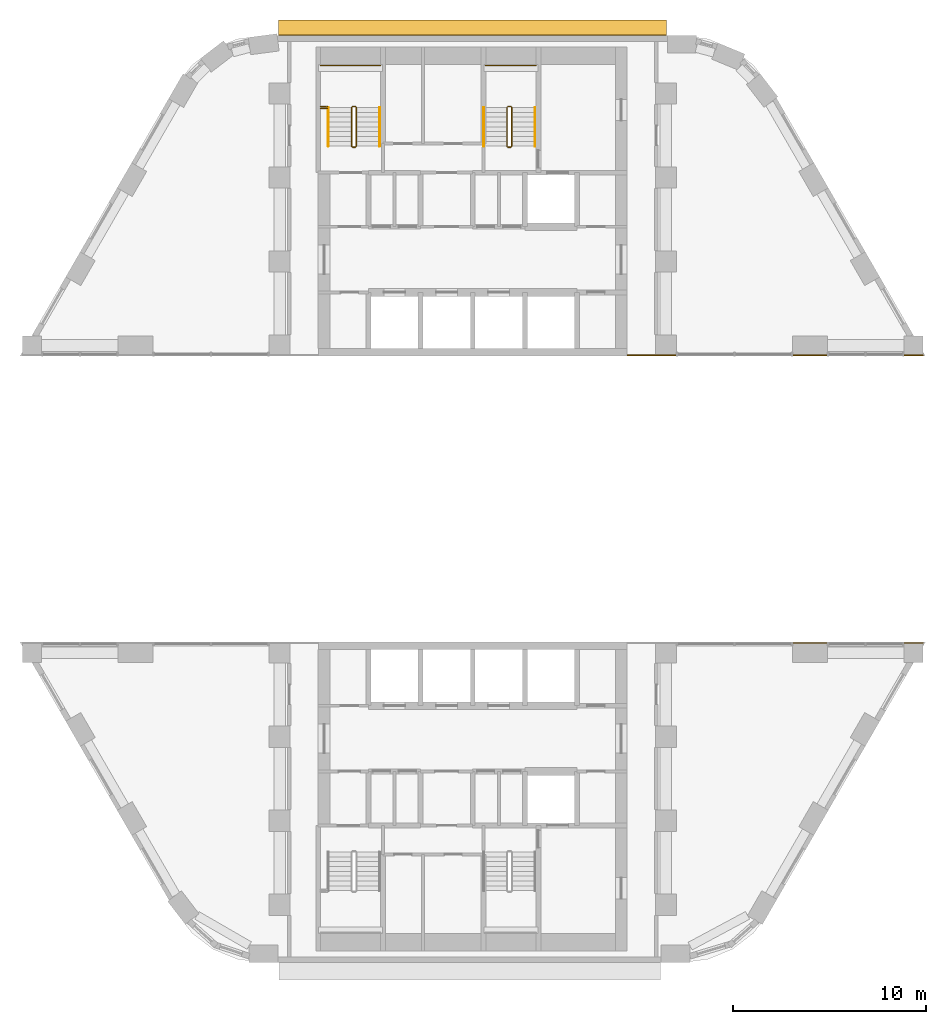
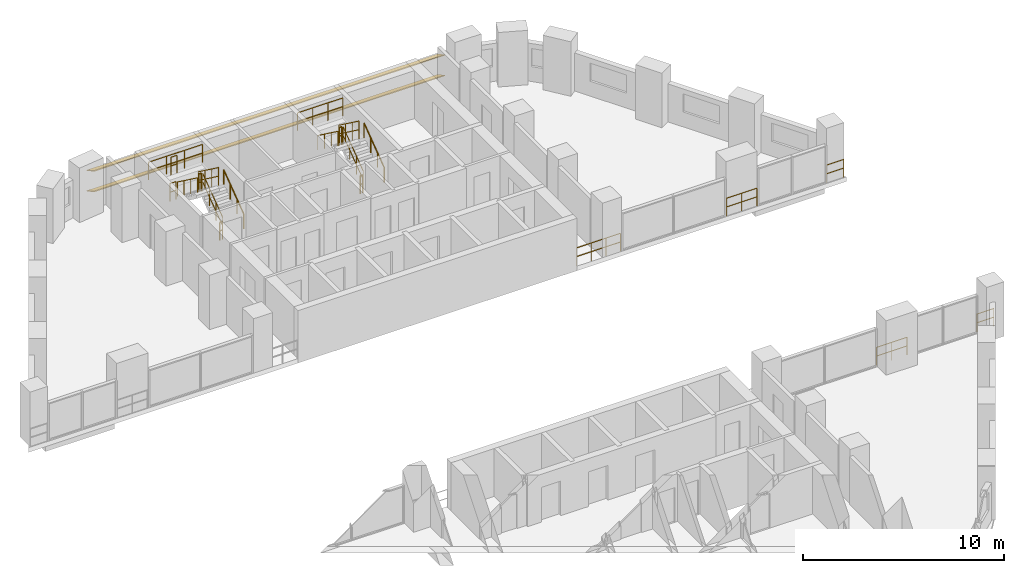
# One storey, part 11 of 11: 21 railings, 2 shading devices.
"""IFC4 building model written with IfcOpenShell, lengths in metres."""

from ifc_helpers import new_model, si_unit, direction, frame, origin, origin_2d, place, context, subcontext, project, spatial, rectangle, circle, extrude, material, material_profile, profile_set, type_object, element, save


model = new_model("IFC4")

# Units and contexts
model_context = context("Model", 3, precision=1e-05, world=origin(), true_north=direction((0.0, 1.0)))
body_context = subcontext(model_context, "Body", "Model", "MODEL_VIEW")
ifc_project = project(units=[si_unit("LENGTHUNIT", "METRE"), si_unit("AREAUNIT", "SQUARE_METRE"), si_unit("VOLUMEUNIT", "CUBIC_METRE"), si_unit("PLANEANGLEUNIT", "RADIAN"), si_unit("MASSUNIT", "GRAM", prefix="KILO")], contexts=[model_context])

# Site, building, storey
site_placement = place(None, origin())
site = spatial("IfcSite", under=ifc_project, at=site_placement, CompositionType="ELEMENT")
building_placement = place(site_placement, origin())
building = spatial("IfcBuilding", under=site, at=building_placement, Name="Nakaniwa Court", CompositionType="ELEMENT")
storey_placement = place(building_placement, frame((0.0, 0.0, 34.800048828125)))
storey = spatial("IfcBuildingStorey", under=building, at=storey_placement, Name="L08", CompositionType="ELEMENT", Elevation=34.800048828125)

# Shading devices
ifc_material_1 = material(Name="Perforated charcoal ceramic louvre blade")
ifc_material_profile = material_profile(ifc_material_1, rectangle(XDim=0.89990234375, YDim=0.050048828125, at=origin_2d()), Name="Perforated ceramic louvre blade")
ifc_profile_set = profile_set([ifc_material_profile], Name="Perforated charcoal ceramic louvre blade")
shading_device_type = type_object("IfcShadingDeviceType", Name="Perforated ceramic louvre blade", PredefinedType="JALOUSIE", material=ifc_profile_set)
for number, where, z_axis, x_axis, name in (
    (1, (90.02880859375, 104.402099609375, 0.550048828125), (-1.0, 0.0, 0.0), (0.0, -0.866025403784, 0.5), "L08 perforated ceramic louvre blade w26 1"),
    (2, (90.02880859375, 104.402099609375, 1.793212890625), (-1.0, 0.0, 0.0), (0.0, -0.866025403784, 0.5), "L08 perforated ceramic louvre blade w26 2"),
):
    element("IfcShadingDevice", number, at=place(storey_placement, frame(where, z_axis=z_axis, x_axis=x_axis)), inside=storey, type_object=shading_device_type, Name=name, PredefinedType="JALOUSIE", context=body_context, shape_type="SweptSolid", body=[
        extrude(rectangle(XDim=0.89990234375, YDim=0.050048828125, at=origin_2d()), origin(), (0.0, 0.0, 1.0), 20.090576171875),
    ])

# Railings
ifc_material_2 = material(Name="Black powder coated steel guard", Category="steel")
railing_type_1 = type_object("IfcRailingType", Name="Stair guard 1100", PredefinedType="GUARDRAIL", material=ifc_material_2)
railing_1_placement = place(storey_placement, frame((73.97509765625, 98.27490234375, 0.183349609375)))
element("IfcRailing", 3, at=railing_1_placement, inside=storey, type_object=railing_type_1, Name="L08 ST1 stair guard 1", PredefinedType="GUARDRAIL", context=body_context, shape_type="SweptSolid", body=[
    extrude(circle(Radius=0.02392578125, at=origin_2d()), frame((0.0, 0.0, 1.076171875), z_axis=(0.0, 0.806426902644, 0.591333789573), x_axis=(-1.0, 0.0, 0.0)), (0.0, 0.0, 1.0), 2.47998046875),
    extrude(circle(Radius=0.02392578125, at=origin_2d()), frame((0.0, 0.0, 0.550048828125), z_axis=(0.0, 0.806426902644, 0.591333789573), x_axis=(-1.0, 0.0, 0.0)), (0.0, 0.0, 1.0), 2.47998046875),
    extrude(circle(Radius=0.02099609375, at=origin_2d()), origin(), (0.0, 0.0, 1.0), 1.052001953125),
    extrude(circle(Radius=0.02099609375, at=origin_2d()), frame((0.0, 0.666748046875, 0.48876953125)), (0.0, 0.0, 1.0), 1.052001953125),
    extrude(circle(Radius=0.02099609375, at=origin_2d()), frame((0.0, 1.333251953125, 0.977783203125)), (0.0, 0.0, 1.0), 1.052001953125),
    extrude(circle(Radius=0.02099609375, at=origin_2d()), frame((0.0, 2.0, 1.466552734375)), (0.0, 0.0, 1.0), 1.052001953125),
])
railing_2_placement = place(storey_placement, frame((73.925048828125, 100.324951171875, 1.64990234375)))
element("IfcRailing", 4, at=railing_2_placement, inside=storey, type_object=railing_type_1, Name="L08 ST1 stair guard 2", PredefinedType="GUARDRAIL", context=body_context, shape_type="SweptSolid", body=[
    extrude(circle(Radius=0.02392578125, at=origin_2d()), frame((0.0, 0.0, 1.076171875), z_axis=(-1.0, 0.0, 0.0), x_axis=(0.0, -1.0, 0.0)), (0.0, 0.0, 1.0), 0.150146484375),
    extrude(circle(Radius=0.02392578125, at=origin_2d()), frame((0.0, 0.0, 0.550048828125), z_axis=(-1.0, 0.0, 0.0), x_axis=(0.0, -1.0, 0.0)), (0.0, 0.0, 1.0), 0.150146484375),
    extrude(circle(Radius=0.02099609375, at=origin_2d()), origin(), (0.0, 0.0, 1.0), 1.052001953125),
    extrude(circle(Radius=0.02099609375, at=origin_2d()), frame((-0.150146484375, 0.0, 0.0)), (0.0, 0.0, 1.0), 1.052001953125),
])
railing_3_placement = place(storey_placement, frame((73.72509765625, 100.27490234375, 1.833251953125)))
element("IfcRailing", 5, at=railing_3_placement, inside=storey, type_object=railing_type_1, Name="L08 ST1 stair guard 3", PredefinedType="GUARDRAIL", context=body_context, shape_type="SweptSolid", body=[
    extrude(circle(Radius=0.02392578125, at=origin_2d()), frame((0.0, 0.0, 1.076171875), z_axis=(0.0, -0.806379959628, 0.591397802423), x_axis=(1.0, 0.0, 0.0)), (0.0, 0.0, 1.0), 2.480224609375),
    extrude(circle(Radius=0.02392578125, at=origin_2d()), frame((0.0, 0.0, 0.550048828125), z_axis=(0.0, -0.806379959628, 0.591397802423), x_axis=(1.0, 0.0, 0.0)), (0.0, 0.0, 1.0), 2.480224609375),
    extrude(circle(Radius=0.02099609375, at=origin_2d()), origin(), (0.0, 0.0, 1.0), 1.052001953125),
    extrude(circle(Radius=0.02099609375, at=origin_2d()), frame((0.0, -0.666748046875, 0.489013671875)), (0.0, 0.0, 1.0), 1.052001953125),
    extrude(circle(Radius=0.02099609375, at=origin_2d()), frame((0.0, -1.333251953125, 0.977783203125)), (0.0, 0.0, 1.0), 1.052001953125),
    extrude(circle(Radius=0.02099609375, at=origin_2d()), frame((0.0, -2.0, 1.466796875)), (0.0, 0.0, 1.0), 1.052001953125),
])
railing_4_placement = place(storey_placement, frame((73.925048828125, 98.22509765625, 0.0)))
element("IfcRailing", 6, at=railing_4_placement, inside=storey, type_object=railing_type_1, Name="L08 ST1 stair guard 4", PredefinedType="GUARDRAIL", context=body_context, shape_type="SweptSolid", body=[
    extrude(circle(Radius=0.02392578125, at=origin_2d()), frame((0.0, 0.0, 1.076171875), z_axis=(-1.0, 0.0, 0.0), x_axis=(0.0, -1.0, 0.0)), (0.0, 0.0, 1.0), 0.150146484375),
    extrude(circle(Radius=0.02392578125, at=origin_2d()), frame((0.0, 0.0, 0.550048828125), z_axis=(-1.0, 0.0, 0.0), x_axis=(0.0, -1.0, 0.0)), (0.0, 0.0, 1.0), 0.150146484375),
    extrude(circle(Radius=0.02099609375, at=origin_2d()), origin(), (0.0, 0.0, 1.0), 1.052001953125),
    extrude(circle(Radius=0.02099609375, at=origin_2d()), frame((-0.150146484375, 0.0, 0.0)), (0.0, 0.0, 1.0), 1.052001953125),
])
railing_5_placement = place(storey_placement, frame((72.125, 102.449951171875, 1.64990234375)))
element("IfcRailing", 7, at=railing_5_placement, inside=storey, type_object=railing_type_1, Name="L08 ST1 landing end guard 1", PredefinedType="GUARDRAIL", context=body_context, shape_type="SweptSolid", body=[
    extrude(circle(Radius=0.02392578125, at=origin_2d()), frame((0.0, 0.0, 1.076171875), z_axis=(1.0, 0.0, 0.0), x_axis=(0.0, 1.0, 0.0)), (0.0, 0.0, 1.0), 3.10009765625),
    extrude(circle(Radius=0.02392578125, at=origin_2d()), frame((0.0, 0.0, 0.550048828125), z_axis=(1.0, 0.0, 0.0), x_axis=(0.0, 1.0, 0.0)), (0.0, 0.0, 1.0), 3.10009765625),
    extrude(circle(Radius=0.02099609375, at=origin_2d()), origin(), (0.0, 0.0, 1.0), 1.052001953125),
    extrude(circle(Radius=0.02099609375, at=origin_2d()), frame((1.033447265625, 0.0, 0.0)), (0.0, 0.0, 1.0), 1.052001953125),
    extrude(circle(Radius=0.02099609375, at=origin_2d()), frame((2.066650390625, 0.0, 0.0)), (0.0, 0.0, 1.0), 1.052001953125),
    extrude(circle(Radius=0.02099609375, at=origin_2d()), frame((3.10009765625, 0.0, 0.0)), (0.0, 0.0, 1.0), 1.052001953125),
])
for number, where, name in (
    (8, (72.125, 100.324951171875, 1.64990234375), "L08 ST1 landing side guard 1W"),
    (9, (72.125, 100.22509765625, 3.300048828125), "L08 ST1 floor edge guard 1W"),
):
    element("IfcRailing", number, at=place(storey_placement, frame(where)), inside=storey, type_object=railing_type_1, Name=name, PredefinedType="GUARDRAIL", context=body_context, shape_type="SweptSolid", body=[
        extrude(circle(Radius=0.02392578125, at=origin_2d()), frame((0.0, 0.0, 1.076171875), z_axis=(1.0, 0.0, 0.0), x_axis=(0.0, 1.0, 0.0)), (0.0, 0.0, 1.0), 0.35009765625),
        extrude(circle(Radius=0.02392578125, at=origin_2d()), frame((0.0, 0.0, 0.550048828125), z_axis=(1.0, 0.0, 0.0), x_axis=(0.0, 1.0, 0.0)), (0.0, 0.0, 1.0), 0.35009765625),
        extrude(circle(Radius=0.02099609375, at=origin_2d()), origin(), (0.0, 0.0, 1.0), 1.052001953125),
        extrude(circle(Radius=0.02099609375, at=origin_2d()), frame((0.35009765625, 0.0, 0.0)), (0.0, 0.0, 1.0), 1.052001953125),
    ])
railing_6_placement = place(storey_placement, frame((82.02490234375, 98.27490234375, 0.183349609375)))
element("IfcRailing", 10, at=railing_6_placement, inside=storey, type_object=railing_type_1, Name="L08 ST2 stair guard 1", PredefinedType="GUARDRAIL", context=body_context, shape_type="SweptSolid", body=[
    extrude(circle(Radius=0.02392578125, at=origin_2d()), frame((0.0, 0.0, 1.076171875), z_axis=(0.0, 0.806426902644, 0.591333789573), x_axis=(-1.0, 0.0, 0.0)), (0.0, 0.0, 1.0), 2.47998046875),
    extrude(circle(Radius=0.02392578125, at=origin_2d()), frame((0.0, 0.0, 0.550048828125), z_axis=(0.0, 0.806426902644, 0.591333789573), x_axis=(-1.0, 0.0, 0.0)), (0.0, 0.0, 1.0), 2.47998046875),
    extrude(circle(Radius=0.02099609375, at=origin_2d()), origin(), (0.0, 0.0, 1.0), 1.052001953125),
    extrude(circle(Radius=0.02099609375, at=origin_2d()), frame((0.0, 0.666748046875, 0.48876953125)), (0.0, 0.0, 1.0), 1.052001953125),
    extrude(circle(Radius=0.02099609375, at=origin_2d()), frame((0.0, 1.333251953125, 0.977783203125)), (0.0, 0.0, 1.0), 1.052001953125),
    extrude(circle(Radius=0.02099609375, at=origin_2d()), frame((0.0, 2.0, 1.466552734375)), (0.0, 0.0, 1.0), 1.052001953125),
])
railing_7_placement = place(storey_placement, frame((81.97509765625, 100.324951171875, 1.64990234375)))
element("IfcRailing", 11, at=railing_7_placement, inside=storey, type_object=railing_type_1, Name="L08 ST2 stair guard 2", PredefinedType="GUARDRAIL", context=body_context, shape_type="SweptSolid", body=[
    extrude(circle(Radius=0.02392578125, at=origin_2d()), frame((0.0, 0.0, 1.076171875), z_axis=(-1.0, 0.0, 0.0), x_axis=(0.0, -1.0, 0.0)), (0.0, 0.0, 1.0), 0.150146484375),
    extrude(circle(Radius=0.02392578125, at=origin_2d()), frame((0.0, 0.0, 0.550048828125), z_axis=(-1.0, 0.0, 0.0), x_axis=(0.0, -1.0, 0.0)), (0.0, 0.0, 1.0), 0.150146484375),
    extrude(circle(Radius=0.02099609375, at=origin_2d()), origin(), (0.0, 0.0, 1.0), 1.052001953125),
    extrude(circle(Radius=0.02099609375, at=origin_2d()), frame((-0.150146484375, 0.0, 0.0)), (0.0, 0.0, 1.0), 1.052001953125),
])
railing_8_placement = place(storey_placement, frame((81.77490234375, 100.27490234375, 1.833251953125)))
element("IfcRailing", 12, at=railing_8_placement, inside=storey, type_object=railing_type_1, Name="L08 ST2 stair guard 3", PredefinedType="GUARDRAIL", context=body_context, shape_type="SweptSolid", body=[
    extrude(circle(Radius=0.02392578125, at=origin_2d()), frame((0.0, 0.0, 1.076171875), z_axis=(0.0, -0.806379959628, 0.591397802423), x_axis=(1.0, 0.0, 0.0)), (0.0, 0.0, 1.0), 2.480224609375),
    extrude(circle(Radius=0.02392578125, at=origin_2d()), frame((0.0, 0.0, 0.550048828125), z_axis=(0.0, -0.806379959628, 0.591397802423), x_axis=(1.0, 0.0, 0.0)), (0.0, 0.0, 1.0), 2.480224609375),
    extrude(circle(Radius=0.02099609375, at=origin_2d()), origin(), (0.0, 0.0, 1.0), 1.052001953125),
    extrude(circle(Radius=0.02099609375, at=origin_2d()), frame((0.0, -0.666748046875, 0.489013671875)), (0.0, 0.0, 1.0), 1.052001953125),
    extrude(circle(Radius=0.02099609375, at=origin_2d()), frame((0.0, -1.333251953125, 0.977783203125)), (0.0, 0.0, 1.0), 1.052001953125),
    extrude(circle(Radius=0.02099609375, at=origin_2d()), frame((0.0, -2.0, 1.466796875)), (0.0, 0.0, 1.0), 1.052001953125),
])
railing_9_placement = place(storey_placement, frame((81.97509765625, 98.22509765625, 0.0)))
element("IfcRailing", 13, at=railing_9_placement, inside=storey, type_object=railing_type_1, Name="L08 ST2 stair guard 4", PredefinedType="GUARDRAIL", context=body_context, shape_type="SweptSolid", body=[
    extrude(circle(Radius=0.02392578125, at=origin_2d()), frame((0.0, 0.0, 1.076171875), z_axis=(-1.0, 0.0, 0.0), x_axis=(0.0, -1.0, 0.0)), (0.0, 0.0, 1.0), 0.150146484375),
    extrude(circle(Radius=0.02392578125, at=origin_2d()), frame((0.0, 0.0, 0.550048828125), z_axis=(-1.0, 0.0, 0.0), x_axis=(0.0, -1.0, 0.0)), (0.0, 0.0, 1.0), 0.150146484375),
    extrude(circle(Radius=0.02099609375, at=origin_2d()), origin(), (0.0, 0.0, 1.0), 1.052001953125),
    extrude(circle(Radius=0.02099609375, at=origin_2d()), frame((-0.150146484375, 0.0, 0.0)), (0.0, 0.0, 1.0), 1.052001953125),
])
railing_10_placement = place(storey_placement, frame((80.675048828125, 102.449951171875, 1.64990234375)))
element("IfcRailing", 14, at=railing_10_placement, inside=storey, type_object=railing_type_1, Name="L08 ST2 landing end guard 1", PredefinedType="GUARDRAIL", context=body_context, shape_type="SweptSolid", body=[
    extrude(circle(Radius=0.02392578125, at=origin_2d()), frame((0.0, 0.0, 1.076171875), z_axis=(1.0, 0.0, 0.0), x_axis=(0.0, 1.0, 0.0)), (0.0, 0.0, 1.0), 2.599853515625),
    extrude(circle(Radius=0.02392578125, at=origin_2d()), frame((0.0, 0.0, 0.550048828125), z_axis=(1.0, 0.0, 0.0), x_axis=(0.0, 1.0, 0.0)), (0.0, 0.0, 1.0), 2.599853515625),
    extrude(circle(Radius=0.02099609375, at=origin_2d()), origin(), (0.0, 0.0, 1.0), 1.052001953125),
    extrude(circle(Radius=0.02099609375, at=origin_2d()), frame((0.86669921875, 0.0, 0.0)), (0.0, 0.0, 1.0), 1.052001953125),
    extrude(circle(Radius=0.02099609375, at=origin_2d()), frame((1.733154296875, 0.0, 0.0)), (0.0, 0.0, 1.0), 1.052001953125),
    extrude(circle(Radius=0.02099609375, at=origin_2d()), frame((2.599853515625, 0.0, 0.0)), (0.0, 0.0, 1.0), 1.052001953125),
])
railing_11_placement = place(storey_placement, frame((96.58740234375, 72.550048828125, 0.0)))
element("IfcRailing", 15, at=railing_11_placement, inside=storey, type_object=railing_type_1, Name="GUARD GD-L08-129", PredefinedType="GUARDRAIL", context=body_context, shape_type="SweptSolid", body=[
    extrude(circle(Radius=0.02392578125, at=origin_2d()), frame((0.0, 0.0, 1.076171875), z_axis=(1.0, 0.0, 0.0), x_axis=(0.0, 1.0, 0.0)), (0.0, 0.0, 1.0), 1.75634765625),
    extrude(circle(Radius=0.02392578125, at=origin_2d()), frame((0.0, 0.0, 0.550048828125), z_axis=(1.0, 0.0, 0.0), x_axis=(0.0, 1.0, 0.0)), (0.0, 0.0, 1.0), 1.75634765625),
    extrude(circle(Radius=0.02099609375, at=origin_2d()), origin(), (0.0, 0.0, 1.0), 1.052001953125),
    extrude(circle(Radius=0.02099609375, at=origin_2d()), frame((0.878173828125, 0.0, 0.0)), (0.0, 0.0, 1.0), 1.052001953125),
    extrude(circle(Radius=0.02099609375, at=origin_2d()), frame((1.75634765625, 0.0, 0.0)), (0.0, 0.0, 1.0), 1.052001953125),
])
railing_12_placement = place(storey_placement, frame((102.343017578125, 72.550048828125, 0.0)))
element("IfcRailing", 16, at=railing_12_placement, inside=storey, type_object=railing_type_1, Name="GUARD GD-L08-130", PredefinedType="GUARDRAIL", context=body_context, shape_type="SweptSolid", body=[
    extrude(circle(Radius=0.02392578125, at=origin_2d()), frame((0.0, 0.0, 1.076171875), z_axis=(1.0, 0.0, 0.0), x_axis=(0.0, 1.0, 0.0)), (0.0, 0.0, 1.0), 0.968017578125),
    extrude(circle(Radius=0.02392578125, at=origin_2d()), frame((0.0, 0.0, 0.550048828125), z_axis=(1.0, 0.0, 0.0), x_axis=(0.0, 1.0, 0.0)), (0.0, 0.0, 1.0), 0.968017578125),
    extrude(circle(Radius=0.02099609375, at=origin_2d()), origin(), (0.0, 0.0, 1.0), 1.052001953125),
    extrude(circle(Radius=0.02099609375, at=origin_2d()), frame((0.968017578125, 0.0, 0.0)), (0.0, 0.0, 1.0), 1.052001953125),
])
railing_13_placement = place(storey_placement, frame((103.31103515625, 87.449951171875, 0.0)))
element("IfcRailing", 17, at=railing_13_placement, inside=storey, type_object=railing_type_1, Name="GUARD GD-L08-131", PredefinedType="GUARDRAIL", context=body_context, shape_type="SweptSolid", body=[
    extrude(circle(Radius=0.02392578125, at=origin_2d()), frame((0.0, 0.0, 1.076171875), z_axis=(-1.0, 0.0, 0.0), x_axis=(0.0, -1.0, 0.0)), (0.0, 0.0, 1.0), 0.968017578125),
    extrude(circle(Radius=0.02392578125, at=origin_2d()), frame((0.0, 0.0, 0.550048828125), z_axis=(-1.0, 0.0, 0.0), x_axis=(0.0, -1.0, 0.0)), (0.0, 0.0, 1.0), 0.968017578125),
    extrude(circle(Radius=0.02099609375, at=origin_2d()), origin(), (0.0, 0.0, 1.0), 1.052001953125),
    extrude(circle(Radius=0.02099609375, at=origin_2d()), frame((-0.968017578125, 0.0, 0.0)), (0.0, 0.0, 1.0), 1.052001953125),
])
railing_14_placement = place(storey_placement, frame((98.34375, 87.449951171875, 0.0)))
element("IfcRailing", 18, at=railing_14_placement, inside=storey, type_object=railing_type_1, Name="GUARD GD-L08-132", PredefinedType="GUARDRAIL", context=body_context, shape_type="SweptSolid", body=[
    extrude(circle(Radius=0.02392578125, at=origin_2d()), frame((0.0, 0.0, 1.076171875), z_axis=(-1.0, 0.0, 0.0), x_axis=(0.0, -1.0, 0.0)), (0.0, 0.0, 1.0), 1.75634765625),
    extrude(circle(Radius=0.02392578125, at=origin_2d()), frame((0.0, 0.0, 0.550048828125), z_axis=(-1.0, 0.0, 0.0), x_axis=(0.0, -1.0, 0.0)), (0.0, 0.0, 1.0), 1.75634765625),
    extrude(circle(Radius=0.02099609375, at=origin_2d()), origin(), (0.0, 0.0, 1.0), 1.052001953125),
    extrude(circle(Radius=0.02099609375, at=origin_2d()), frame((-0.878173828125, 0.0, 0.0)), (0.0, 0.0, 1.0), 1.052001953125),
    extrude(circle(Radius=0.02099609375, at=origin_2d()), frame((-1.75634765625, 0.0, 0.0)), (0.0, 0.0, 1.0), 1.052001953125),
])
railing_15_placement = place(storey_placement, frame((90.52392578125, 87.449951171875, 0.0)))
element("IfcRailing", 19, at=railing_15_placement, inside=storey, type_object=railing_type_1, Name="GUARD GD-L08-133", PredefinedType="GUARDRAIL", context=body_context, shape_type="SweptSolid", body=[
    extrude(circle(Radius=0.02392578125, at=origin_2d()), frame((0.0, 0.0, 1.076171875), z_axis=(-1.0, 0.0, 0.0), x_axis=(0.0, -1.0, 0.0)), (0.0, 0.0, 1.0), 2.514892578125),
    extrude(circle(Radius=0.02392578125, at=origin_2d()), frame((0.0, 0.0, 0.550048828125), z_axis=(-1.0, 0.0, 0.0), x_axis=(0.0, -1.0, 0.0)), (0.0, 0.0, 1.0), 2.514892578125),
    extrude(circle(Radius=0.02099609375, at=origin_2d()), origin(), (0.0, 0.0, 1.0), 1.052001953125),
    extrude(circle(Radius=0.02099609375, at=origin_2d()), frame((-0.83837890625, 0.0, 0.0)), (0.0, 0.0, 1.0), 1.052001953125),
    extrude(circle(Radius=0.02099609375, at=origin_2d()), frame((-1.676513671875, 0.0, 0.0)), (0.0, 0.0, 1.0), 1.052001953125),
    extrude(circle(Radius=0.02099609375, at=origin_2d()), frame((-2.514892578125, 0.0, 0.0)), (0.0, 0.0, 1.0), 1.052001953125),
])
ifc_material_3 = material(Name="Black powder coated steel handrail", Category="steel")
railing_type_2 = type_object("IfcRailingType", Name="Stair handrail 900", PredefinedType="HANDRAIL", material=ifc_material_3)
railing_16_placement = place(storey_placement, frame((75.175048828125, 98.27490234375, 0.183349609375)))
element("IfcRailing", 20, at=railing_16_placement, inside=storey, type_object=railing_type_2, Name="L08 ST1 stair handrail 1", PredefinedType="HANDRAIL", context=body_context, shape_type="SweptSolid", body=[
    extrude(circle(Radius=0.02392578125, at=origin_2d()), frame((0.0, 0.0, 0.8759765625), z_axis=(0.0, 0.806426902644, 0.591333789573), x_axis=(-1.0, 0.0, 0.0)), (0.0, 0.0, 1.0), 2.47998046875),
    extrude(circle(Radius=0.02099609375, at=origin_2d()), origin(), (0.0, 0.0, 1.0), 0.851806640625),
    extrude(circle(Radius=0.02099609375, at=origin_2d()), frame((0.0, 0.666748046875, 0.48876953125)), (0.0, 0.0, 1.0), 0.851806640625),
    extrude(circle(Radius=0.02099609375, at=origin_2d()), frame((0.0, 1.333251953125, 0.977783203125)), (0.0, 0.0, 1.0), 0.851806640625),
    extrude(circle(Radius=0.02099609375, at=origin_2d()), frame((0.0, 2.0, 1.466552734375)), (0.0, 0.0, 1.0), 0.851806640625),
])
railing_17_placement = place(storey_placement, frame((72.52490234375, 100.27490234375, 1.833251953125)))
element("IfcRailing", 21, at=railing_17_placement, inside=storey, type_object=railing_type_2, Name="L08 ST1 stair handrail 2", PredefinedType="HANDRAIL", context=body_context, shape_type="SweptSolid", body=[
    extrude(circle(Radius=0.02392578125, at=origin_2d()), frame((0.0, 0.0, 0.8759765625), z_axis=(0.0, -0.806379959628, 0.591397802423), x_axis=(1.0, 0.0, 0.0)), (0.0, 0.0, 1.0), 2.480224609375),
    extrude(circle(Radius=0.02099609375, at=origin_2d()), origin(), (0.0, 0.0, 1.0), 0.851806640625),
    extrude(circle(Radius=0.02099609375, at=origin_2d()), frame((0.0, -0.666748046875, 0.489013671875)), (0.0, 0.0, 1.0), 0.851806640625),
    extrude(circle(Radius=0.02099609375, at=origin_2d()), frame((0.0, -1.333251953125, 0.977783203125)), (0.0, 0.0, 1.0), 0.851806640625),
    extrude(circle(Radius=0.02099609375, at=origin_2d()), frame((0.0, -2.0, 1.466796875)), (0.0, 0.0, 1.0), 0.851806640625),
])
railing_18_placement = place(storey_placement, frame((83.22509765625, 98.27490234375, 0.183349609375)))
element("IfcRailing", 22, at=railing_18_placement, inside=storey, type_object=railing_type_2, Name="L08 ST2 stair handrail 1", PredefinedType="HANDRAIL", context=body_context, shape_type="SweptSolid", body=[
    extrude(circle(Radius=0.02392578125, at=origin_2d()), frame((0.0, 0.0, 0.8759765625), z_axis=(0.0, 0.806426902644, 0.591333789573), x_axis=(-1.0, 0.0, 0.0)), (0.0, 0.0, 1.0), 2.47998046875),
    extrude(circle(Radius=0.02099609375, at=origin_2d()), origin(), (0.0, 0.0, 1.0), 0.851806640625),
    extrude(circle(Radius=0.02099609375, at=origin_2d()), frame((0.0, 0.666748046875, 0.48876953125)), (0.0, 0.0, 1.0), 0.851806640625),
    extrude(circle(Radius=0.02099609375, at=origin_2d()), frame((0.0, 1.333251953125, 0.977783203125)), (0.0, 0.0, 1.0), 0.851806640625),
    extrude(circle(Radius=0.02099609375, at=origin_2d()), frame((0.0, 2.0, 1.466552734375)), (0.0, 0.0, 1.0), 0.851806640625),
])
railing_19_placement = place(storey_placement, frame((80.574951171875, 100.27490234375, 1.833251953125)))
element("IfcRailing", 23, at=railing_19_placement, inside=storey, type_object=railing_type_2, Name="L08 ST2 stair handrail 2", PredefinedType="HANDRAIL", context=body_context, shape_type="SweptSolid", body=[
    extrude(circle(Radius=0.02392578125, at=origin_2d()), frame((0.0, 0.0, 0.8759765625), z_axis=(0.0, -0.806379959628, 0.591397802423), x_axis=(1.0, 0.0, 0.0)), (0.0, 0.0, 1.0), 2.480224609375),
    extrude(circle(Radius=0.02099609375, at=origin_2d()), origin(), (0.0, 0.0, 1.0), 0.851806640625),
    extrude(circle(Radius=0.02099609375, at=origin_2d()), frame((0.0, -0.666748046875, 0.489013671875)), (0.0, 0.0, 1.0), 0.851806640625),
    extrude(circle(Radius=0.02099609375, at=origin_2d()), frame((0.0, -1.333251953125, 0.977783203125)), (0.0, 0.0, 1.0), 0.851806640625),
    extrude(circle(Radius=0.02099609375, at=origin_2d()), frame((0.0, -2.0, 1.466796875)), (0.0, 0.0, 1.0), 0.851806640625),
])

save(model, "model.ifc")
